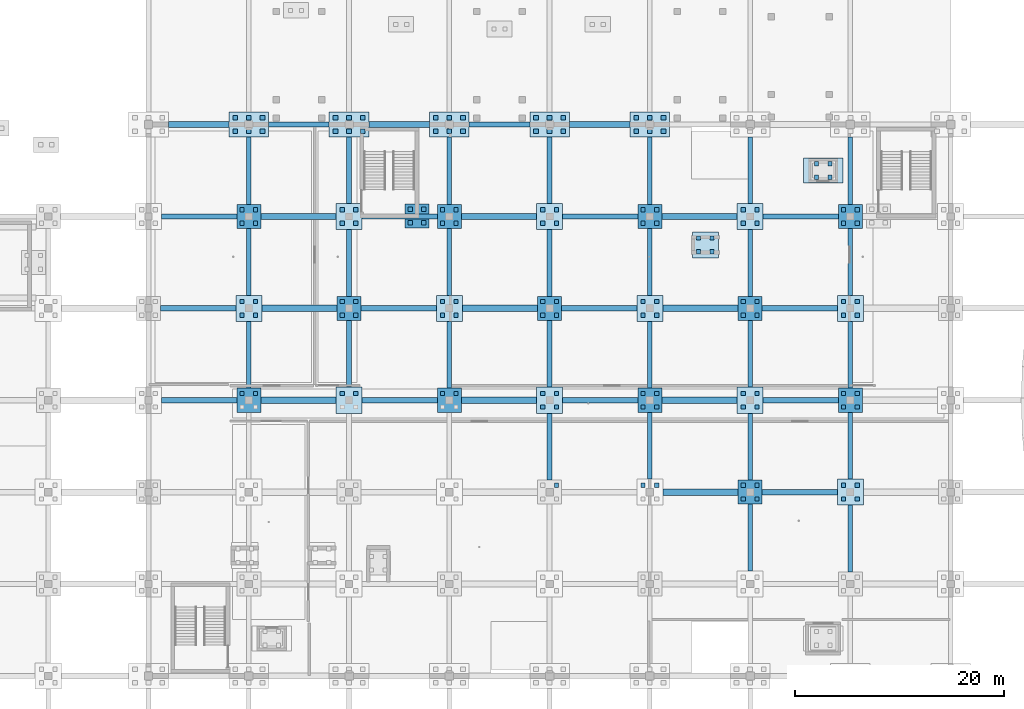
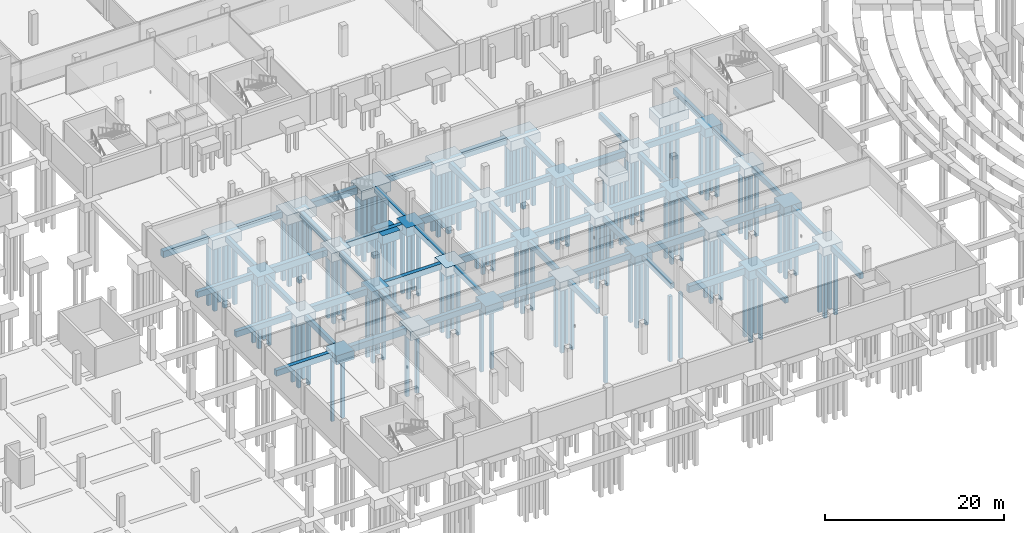
# One storey, part 4 of 31: 131 piles, 86 footings.
"""IFC4 building model written with IfcOpenShell, lengths in metres."""

from ifc_helpers import new_model, si_unit, direction, frame, origin, origin_2d, place, context, subcontext, project, spatial, rectangle, extrude, material, layer, layer_set, material_profile, profile_set, type_object, element, save


model = new_model("IFC4")

# Units and contexts
model_context = context("Model", 3, precision=1e-05, world=origin(), true_north=direction((0.0, 1.0)))
body_context = subcontext(model_context, "Body", "Model", "MODEL_VIEW")
ifc_project = project(units=[si_unit("LENGTHUNIT", "METRE"), si_unit("AREAUNIT", "SQUARE_METRE"), si_unit("VOLUMEUNIT", "CUBIC_METRE"), si_unit("PLANEANGLEUNIT", "RADIAN"), si_unit("MASSUNIT", "GRAM", prefix="KILO")], contexts=[model_context])

# Site, building, storey
site_placement = place(None, origin())
site = spatial("IfcSite", under=ifc_project, at=site_placement, CompositionType="ELEMENT")
building_placement = place(site_placement, origin())
building = spatial("IfcBuilding", under=site, at=building_placement, Name="Chalmorin Arch Market", CompositionType="ELEMENT")
storey_placement = place(building_placement, frame((0.0, 0.0, -4.199951171875)))
storey = spatial("IfcBuildingStorey", under=building, at=storey_placement, Name="B1", CompositionType="ELEMENT", Elevation=-4.199951171875)

# Piles
ifc_material_1 = material(Name="Precast concrete C50/60", Category="concrete")
ifc_material_profile_1 = material_profile(ifc_material_1, rectangle(XDim=0.406005859375, YDim=0.406005859375, at=origin_2d()), Name="PPC406")
ifc_profile_set_1 = profile_set([ifc_material_profile_1], Name="Precast concrete C50/60")
pile_type_1 = type_object("IfcPileType", Name="DrivenSquarePile-406", PredefinedType="DRIVEN", material=ifc_profile_set_1)
for number, where, z_axis, x_axis, name in (
    (1, (56.949951171875, 33.050048828125, -1.10009765625), (0.0, 0.0, -1.0), (1.0, 0.0, 0.0), "P-406-313"),
    (2, (58.25, 33.050048828125, -1.10009765625), (0.0, 0.0, -1.0), (1.0, 0.0, 0.0), "P-406-314"),
    (3, (56.949951171875, 40.550048828125, -1.10009765625), (0.0, 0.0, -1.0), (1.0, 0.0, 0.0), "P-406-315"),
    (4, (58.25, 40.550048828125, -1.10009765625), (0.0, 0.0, -1.0), (1.0, 0.0, 0.0), "P-406-316"),
    (5, (56.949951171875, 41.85009765625, -1.10009765625), (0.0, 0.0, -1.0), (1.0, 0.0, 0.0), "P-406-317"),
    (6, (58.25, 41.85009765625, -1.10009765625), (0.0, 0.0, -1.0), (1.0, 0.0, 0.0), "P-406-318"),
    (7, (56.949951171875, 49.35009765625, -1.10009765625), (0.0, 0.0, -1.0), (1.0, 0.0, 0.0), "P-406-319"),
    (8, (58.25, 49.35009765625, -1.10009765625), (0.0, 0.0, -1.0), (1.0, 0.0, 0.0), "P-406-320"),
    (9, (56.949951171875, 50.64990234375, -1.10009765625), (0.0, 0.0, -1.0), (1.0, 0.0, 0.0), "P-406-321"),
    (10, (58.25, 50.64990234375, -1.10009765625), (0.0, 0.0, -1.0), (1.0, 0.0, 0.0), "P-406-322"),
    (11, (66.550048828125, 33.050048828125, -1.10009765625), (0.0, 0.0, -1.0), (1.0, 0.0, 0.0), "P-406-369"),
    (12, (67.85009765625, 33.050048828125, -1.10009765625), (0.0, 0.0, -1.0), (1.0, 0.0, 0.0), "P-406-370"),
    (13, (66.550048828125, 40.550048828125, -1.10009765625), (0.0, 0.0, -1.0), (1.0, 0.0, 0.0), "P-406-371"),
    (14, (67.85009765625, 40.550048828125, -1.10009765625), (0.0, 0.0, -1.0), (1.0, 0.0, 0.0), "P-406-372"),
    (15, (66.550048828125, 41.85009765625, -1.10009765625), (0.0, 0.0, -1.0), (1.0, 0.0, 0.0), "P-406-373"),
    (16, (67.85009765625, 41.85009765625, -1.10009765625), (0.0, 0.0, -1.0), (1.0, 0.0, 0.0), "P-406-374"),
    (17, (66.550048828125, 49.35009765625, -1.10009765625), (0.0, 0.0, -1.0), (1.0, 0.0, 0.0), "P-406-375"),
    (18, (67.85009765625, 49.35009765625, -1.10009765625), (0.0, 0.0, -1.0), (1.0, 0.0, 0.0), "P-406-376"),
    (19, (66.550048828125, 50.64990234375, -1.10009765625), (0.0, 0.0, -1.0), (1.0, 0.0, 0.0), "P-406-377"),
    (20, (67.85009765625, 50.64990234375, -1.10009765625), (0.0, 0.0, -1.0), (1.0, 0.0, 0.0), "P-406-378"),
    (21, (76.14990234375, 33.050048828125, -1.10009765625), (0.0, 0.0, -1.0), (1.0, 0.0, 0.0), "P-406-425"),
    (22, (77.449951171875, 33.050048828125, -1.10009765625), (0.0, 0.0, -1.0), (1.0, 0.0, 0.0), "P-406-426"),
    (23, (76.14990234375, 40.550048828125, -1.10009765625), (0.0, 0.0, -1.0), (1.0, 0.0, 0.0), "P-406-427"),
    (24, (77.449951171875, 40.550048828125, -1.10009765625), (0.0, 0.0, -1.0), (1.0, 0.0, 0.0), "P-406-428"),
    (25, (76.14990234375, 41.85009765625, -1.10009765625), (0.0, 0.0, -1.0), (1.0, 0.0, 0.0), "P-406-429"),
    (26, (77.449951171875, 41.85009765625, -1.10009765625), (0.0, 0.0, -1.0), (1.0, 0.0, 0.0), "P-406-430"),
    (27, (76.14990234375, 49.35009765625, -1.10009765625), (0.0, 0.0, -1.0), (1.0, 0.0, 0.0), "P-406-431"),
    (28, (77.449951171875, 49.35009765625, -1.10009765625), (0.0, 0.0, -1.0), (1.0, 0.0, 0.0), "P-406-432"),
    (29, (76.14990234375, 50.64990234375, -1.10009765625), (0.0, 0.0, -1.0), (1.0, 0.0, 0.0), "P-406-433"),
    (30, (77.449951171875, 50.64990234375, -1.10009765625), (0.0, 0.0, -1.0), (1.0, 0.0, 0.0), "P-406-434"),
    (31, (87.050048828125, 24.25, -1.10009765625), (0.0, 0.0, -1.0), (1.0, 0.0, 0.0), "P-406-478"),
    (32, (85.75, 31.75, -1.10009765625), (0.0, 0.0, -1.0), (1.0, 0.0, 0.0), "P-406-479"),
    (33, (87.050048828125, 31.75, -1.10009765625), (0.0, 0.0, -1.0), (1.0, 0.0, 0.0), "P-406-480"),
    (34, (85.75, 33.050048828125, -1.10009765625), (0.0, 0.0, -1.0), (1.0, 0.0, 0.0), "P-406-481"),
    (35, (87.050048828125, 33.050048828125, -1.10009765625), (0.0, 0.0, -1.0), (1.0, 0.0, 0.0), "P-406-482"),
    (36, (85.75, 40.550048828125, -1.10009765625), (0.0, 0.0, -1.0), (1.0, 0.0, 0.0), "P-406-483"),
    (37, (87.050048828125, 40.550048828125, -1.10009765625), (0.0, 0.0, -1.0), (1.0, 0.0, 0.0), "P-406-484"),
    (38, (85.75, 41.85009765625, -1.10009765625), (0.0, 0.0, -1.0), (1.0, 0.0, 0.0), "P-406-485"),
    (39, (87.050048828125, 41.85009765625, -1.10009765625), (0.0, 0.0, -1.0), (1.0, 0.0, 0.0), "P-406-486"),
    (40, (85.75, 49.35009765625, -1.10009765625), (0.0, 0.0, -1.0), (1.0, 0.0, 0.0), "P-406-487"),
    (41, (87.050048828125, 49.35009765625, -1.10009765625), (0.0, 0.0, -1.0), (1.0, 0.0, 0.0), "P-406-488"),
    (42, (85.75, 50.64990234375, -1.10009765625), (0.0, 0.0, -1.0), (1.0, 0.0, 0.0), "P-406-489"),
    (43, (87.050048828125, 50.64990234375, -1.10009765625), (0.0, 0.0, -1.0), (1.0, 0.0, 0.0), "P-406-490"),
    (44, (95.35009765625, 24.25, -1.10009765625), (0.0, 0.0, -1.0), (1.0, 0.0, 0.0), "P-406-533"),
    (45, (96.64990234375, 24.25, -1.10009765625), (0.0, 0.0, -1.0), (1.0, 0.0, 0.0), "P-406-534"),
    (46, (95.35009765625, 31.75, -1.10009765625), (0.0, 0.0, -1.0), (1.0, 0.0, 0.0), "P-406-535"),
    (47, (96.64990234375, 31.75, -1.10009765625), (0.0, 0.0, -1.0), (1.0, 0.0, 0.0), "P-406-536"),
    (48, (95.35009765625, 33.050048828125, -1.10009765625), (0.0, 0.0, -1.0), (1.0, 0.0, 0.0), "P-406-537"),
    (49, (96.64990234375, 33.050048828125, -1.10009765625), (0.0, 0.0, -1.0), (1.0, 0.0, 0.0), "P-406-538"),
    (50, (95.35009765625, 40.550048828125, -1.10009765625), (0.0, 0.0, -1.0), (1.0, 0.0, 0.0), "P-406-539"),
    (51, (96.64990234375, 40.550048828125, -1.10009765625), (0.0, 0.0, -1.0), (1.0, 0.0, 0.0), "P-406-540"),
    (52, (95.35009765625, 41.85009765625, -1.10009765625), (0.0, 0.0, -1.0), (1.0, 0.0, 0.0), "P-406-541"),
    (53, (96.64990234375, 41.85009765625, -1.10009765625), (0.0, 0.0, -1.0), (1.0, 0.0, 0.0), "P-406-542"),
    (54, (95.35009765625, 49.35009765625, -1.10009765625), (0.0, 0.0, -1.0), (1.0, 0.0, 0.0), "P-406-543"),
    (55, (96.64990234375, 49.35009765625, -1.10009765625), (0.0, 0.0, -1.0), (1.0, 0.0, 0.0), "P-406-544"),
    (56, (95.35009765625, 50.64990234375, -1.10009765625), (0.0, 0.0, -1.0), (1.0, 0.0, 0.0), "P-406-545"),
    (57, (96.64990234375, 50.64990234375, -1.10009765625), (0.0, 0.0, -1.0), (1.0, 0.0, 0.0), "P-406-546"),
    (58, (104.949951171875, 22.949951171875, -1.10009765625), (0.0, 0.0, -1.0), (1.0, 0.0, 0.0), "P-406-587"),
    (59, (106.25, 22.949951171875, -1.10009765625), (0.0, 0.0, -1.0), (1.0, 0.0, 0.0), "P-406-588"),
    (60, (104.949951171875, 24.25, -1.10009765625), (0.0, 0.0, -1.0), (1.0, 0.0, 0.0), "P-406-589"),
    (61, (106.25, 24.25, -1.10009765625), (0.0, 0.0, -1.0), (1.0, 0.0, 0.0), "P-406-590"),
    (62, (104.949951171875, 31.75, -1.10009765625), (0.0, 0.0, -1.0), (1.0, 0.0, 0.0), "P-406-591"),
    (63, (106.25, 31.75, -1.10009765625), (0.0, 0.0, -1.0), (1.0, 0.0, 0.0), "P-406-592"),
    (64, (104.949951171875, 33.050048828125, -1.10009765625), (0.0, 0.0, -1.0), (1.0, 0.0, 0.0), "P-406-593"),
    (65, (106.25, 33.050048828125, -1.10009765625), (0.0, 0.0, -1.0), (1.0, 0.0, 0.0), "P-406-594"),
    (66, (104.949951171875, 40.550048828125, -1.10009765625), (0.0, 0.0, -1.0), (1.0, 0.0, 0.0), "P-406-595"),
    (67, (106.25, 40.550048828125, -1.10009765625), (0.0, 0.0, -1.0), (1.0, 0.0, 0.0), "P-406-596"),
    (68, (104.949951171875, 41.85009765625, -1.10009765625), (0.0, 0.0, -1.0), (1.0, 0.0, 0.0), "P-406-597"),
    (69, (106.25, 41.85009765625, -1.10009765625), (0.0, 0.0, -1.0), (1.0, 0.0, 0.0), "P-406-598"),
    (70, (104.949951171875, 49.35009765625, -1.10009765625), (0.0, 0.0, -1.0), (1.0, 0.0, 0.0), "P-406-599"),
    (71, (106.25, 49.35009765625, -1.10009765625), (0.0, 0.0, -1.0), (1.0, 0.0, 0.0), "P-406-600"),
    (72, (104.949951171875, 50.64990234375, -1.10009765625), (0.0, 0.0, -1.0), (1.0, 0.0, 0.0), "P-406-601"),
    (73, (106.25, 50.64990234375, -1.10009765625), (0.0, 0.0, -1.0), (1.0, 0.0, 0.0), "P-406-602"),
    (74, (114.550048828125, 22.949951171875, -1.10009765625), (0.0, 0.0, -1.0), (1.0, 0.0, 0.0), "P-406-643"),
    (75, (115.85009765625, 22.949951171875, -1.10009765625), (0.0, 0.0, -1.0), (1.0, 0.0, 0.0), "P-406-644"),
    (76, (114.550048828125, 24.25, -1.10009765625), (0.0, 0.0, -1.0), (1.0, 0.0, 0.0), "P-406-645"),
    (77, (115.85009765625, 24.25, -1.10009765625), (0.0, 0.0, -1.0), (1.0, 0.0, 0.0), "P-406-646"),
    (78, (114.550048828125, 31.75, -1.10009765625), (0.0, 0.0, -1.0), (1.0, 0.0, 0.0), "P-406-647"),
    (79, (115.85009765625, 31.75, -1.10009765625), (0.0, 0.0, -1.0), (1.0, 0.0, 0.0), "P-406-648"),
    (80, (114.550048828125, 33.050048828125, -1.10009765625), (0.0, 0.0, -1.0), (1.0, 0.0, 0.0), "P-406-649"),
    (81, (115.85009765625, 33.050048828125, -1.10009765625), (0.0, 0.0, -1.0), (1.0, 0.0, 0.0), "P-406-650"),
    (82, (114.550048828125, 40.550048828125, -1.10009765625), (0.0, 0.0, -1.0), (1.0, 0.0, 0.0), "P-406-651"),
    (83, (115.85009765625, 40.550048828125, -1.10009765625), (0.0, 0.0, -1.0), (1.0, 0.0, 0.0), "P-406-652"),
    (84, (114.550048828125, 41.85009765625, -1.10009765625), (0.0, 0.0, -1.0), (1.0, 0.0, 0.0), "P-406-653"),
    (85, (115.85009765625, 41.85009765625, -1.10009765625), (0.0, 0.0, -1.0), (1.0, 0.0, 0.0), "P-406-654"),
    (86, (114.550048828125, 49.35009765625, -1.10009765625), (0.0, 0.0, -1.0), (1.0, 0.0, 0.0), "P-406-655"),
    (87, (115.85009765625, 49.35009765625, -1.10009765625), (0.0, 0.0, -1.0), (1.0, 0.0, 0.0), "P-406-656"),
    (88, (114.550048828125, 50.64990234375, -1.10009765625), (0.0, 0.0, -1.0), (1.0, 0.0, 0.0), "P-406-657"),
    (89, (115.85009765625, 50.64990234375, -1.10009765625), (0.0, 0.0, -1.0), (1.0, 0.0, 0.0), "P-406-658"),
    (90, (73.050048828125, 49.39990234375, -1.10009765625), (0.0, 0.0, -1.0), (1.0, 0.0, 0.0), "P-406-953"),
    (91, (74.35009765625, 49.39990234375, -1.10009765625), (0.0, 0.0, -1.0), (1.0, 0.0, 0.0), "P-406-954"),
    (92, (73.050048828125, 50.699951171875, -1.10009765625), (0.0, 0.0, -1.0), (1.0, 0.0, 0.0), "P-406-955"),
    (93, (74.35009765625, 50.699951171875, -1.10009765625), (0.0, 0.0, -1.0), (1.0, 0.0, 0.0), "P-406-956"),
    (94, (100.659912109375, 46.625, -1.10009765625), (0.0, 0.0, -1.0), (1.0, 0.0, 0.0), "P-406-961"),
    (95, (101.9599609375, 46.625, -1.10009765625), (0.0, 0.0, -1.0), (1.0, 0.0, 0.0), "P-406-962"),
    (96, (100.659912109375, 47.925048828125, -1.10009765625), (0.0, 0.0, -1.0), (1.0, 0.0, 0.0), "P-406-963"),
    (97, (101.9599609375, 47.925048828125, -1.10009765625), (0.0, 0.0, -1.0), (1.0, 0.0, 0.0), "P-406-964"),
):
    element("IfcPile", number, at=place(storey_placement, frame(where, z_axis=z_axis, x_axis=x_axis)), inside=storey, type_object=pile_type_1, Name=name, PredefinedType="DRIVEN", context=body_context, shape_type="SweptSolid", body=[
        extrude(rectangle(XDim=0.406005859375, YDim=0.406005859375, at=origin_2d()), origin(), (0.0, 0.0, 1.0), 8.89990234375),
    ])
for number, where, z_axis, x_axis, name in (
    (98, (111.949951171875, 53.75, -1.199951171875), (0.0, 0.0, -1.0), (1.0, 0.0, 0.0), "P-406-985"),
    (99, (113.25, 53.75, -1.199951171875), (0.0, 0.0, -1.0), (1.0, 0.0, 0.0), "P-406-986"),
    (100, (111.949951171875, 55.050048828125, -1.199951171875), (0.0, 0.0, -1.0), (1.0, 0.0, 0.0), "P-406-987"),
    (101, (113.25, 55.050048828125, -1.199951171875), (0.0, 0.0, -1.0), (1.0, 0.0, 0.0), "P-406-988"),
):
    element("IfcPile", number, at=place(storey_placement, frame(where, z_axis=z_axis, x_axis=x_axis)), inside=storey, type_object=pile_type_1, Name=name, PredefinedType="DRIVEN", context=body_context, shape_type="SweptSolid", body=[
        extrude(rectangle(XDim=0.406005859375, YDim=0.406005859375, at=origin_2d()), origin(), (0.0, 0.0, 1.0), 8.800048828125),
    ])
ifc_material_profile_2 = material_profile(ifc_material_1, rectangle(XDim=0.45703125, YDim=0.45703125, at=origin_2d()), Name="PPC457")
ifc_profile_set_2 = profile_set([ifc_material_profile_2], Name="Precast concrete C50/60")
pile_type_2 = type_object("IfcPileType", Name="DrivenSquarePile-457", PredefinedType="DRIVEN", material=ifc_profile_set_2)
for number, where, z_axis, x_axis, name in (
    (102, (56.300048828125, 58.14990234375, -1.199951171875), (0.0, 0.0, -1.0), (1.0, 0.0, 0.0), "P-457-323"),
    (103, (57.60009765625, 58.14990234375, -1.199951171875), (0.0, 0.0, -1.0), (1.0, 0.0, 0.0), "P-457-324"),
    (104, (58.89990234375, 58.14990234375, -1.199951171875), (0.0, 0.0, -1.0), (1.0, 0.0, 0.0), "P-457-325"),
    (105, (56.300048828125, 59.449951171875, -1.199951171875), (0.0, 0.0, -1.0), (1.0, 0.0, 0.0), "P-457-326"),
    (106, (57.60009765625, 59.449951171875, -1.199951171875), (0.0, 0.0, -1.0), (1.0, 0.0, 0.0), "P-457-327"),
    (107, (58.89990234375, 59.449951171875, -1.199951171875), (0.0, 0.0, -1.0), (1.0, 0.0, 0.0), "P-457-328"),
    (108, (65.89990234375, 58.14990234375, -1.199951171875), (0.0, 0.0, -1.0), (1.0, 0.0, 0.0), "P-457-379"),
    (109, (67.199951171875, 58.14990234375, -1.199951171875), (0.0, 0.0, -1.0), (1.0, 0.0, 0.0), "P-457-380"),
    (110, (68.5, 58.14990234375, -1.199951171875), (0.0, 0.0, -1.0), (1.0, 0.0, 0.0), "P-457-381"),
    (111, (65.89990234375, 59.449951171875, -1.199951171875), (0.0, 0.0, -1.0), (1.0, 0.0, 0.0), "P-457-382"),
    (112, (67.199951171875, 59.449951171875, -1.199951171875), (0.0, 0.0, -1.0), (1.0, 0.0, 0.0), "P-457-383"),
    (113, (68.5, 59.449951171875, -1.199951171875), (0.0, 0.0, -1.0), (1.0, 0.0, 0.0), "P-457-384"),
    (114, (75.5, 58.14990234375, -1.199951171875), (0.0, 0.0, -1.0), (1.0, 0.0, 0.0), "P-457-435"),
    (115, (76.800048828125, 58.14990234375, -1.199951171875), (0.0, 0.0, -1.0), (1.0, 0.0, 0.0), "P-457-436"),
    (116, (78.10009765625, 58.14990234375, -1.199951171875), (0.0, 0.0, -1.0), (1.0, 0.0, 0.0), "P-457-437"),
    (117, (75.5, 59.449951171875, -1.199951171875), (0.0, 0.0, -1.0), (1.0, 0.0, 0.0), "P-457-438"),
    (118, (76.800048828125, 59.449951171875, -1.199951171875), (0.0, 0.0, -1.0), (1.0, 0.0, 0.0), "P-457-439"),
    (119, (78.10009765625, 59.449951171875, -1.199951171875), (0.0, 0.0, -1.0), (1.0, 0.0, 0.0), "P-457-440"),
    (120, (85.10009765625, 58.14990234375, -1.199951171875), (0.0, 0.0, -1.0), (1.0, 0.0, 0.0), "P-457-491"),
    (121, (86.39990234375, 58.14990234375, -1.199951171875), (0.0, 0.0, -1.0), (1.0, 0.0, 0.0), "P-457-492"),
    (122, (87.699951171875, 58.14990234375, -1.199951171875), (0.0, 0.0, -1.0), (1.0, 0.0, 0.0), "P-457-493"),
    (123, (85.10009765625, 59.449951171875, -1.199951171875), (0.0, 0.0, -1.0), (1.0, 0.0, 0.0), "P-457-494"),
    (124, (86.39990234375, 59.449951171875, -1.199951171875), (0.0, 0.0, -1.0), (1.0, 0.0, 0.0), "P-457-495"),
    (125, (87.699951171875, 59.449951171875, -1.199951171875), (0.0, 0.0, -1.0), (1.0, 0.0, 0.0), "P-457-496"),
    (126, (94.699951171875, 58.14990234375, -1.199951171875), (0.0, 0.0, -1.0), (1.0, 0.0, 0.0), "P-457-547"),
    (127, (96.0, 58.14990234375, -1.199951171875), (0.0, 0.0, -1.0), (1.0, 0.0, 0.0), "P-457-548"),
    (128, (97.300048828125, 58.14990234375, -1.199951171875), (0.0, 0.0, -1.0), (1.0, 0.0, 0.0), "P-457-549"),
    (129, (94.699951171875, 59.449951171875, -1.199951171875), (0.0, 0.0, -1.0), (1.0, 0.0, 0.0), "P-457-550"),
    (130, (96.0, 59.449951171875, -1.199951171875), (0.0, 0.0, -1.0), (1.0, 0.0, 0.0), "P-457-551"),
    (131, (97.300048828125, 59.449951171875, -1.199951171875), (0.0, 0.0, -1.0), (1.0, 0.0, 0.0), "P-457-552"),
):
    element("IfcPile", number, at=place(storey_placement, frame(where, z_axis=z_axis, x_axis=x_axis)), inside=storey, type_object=pile_type_2, Name=name, PredefinedType="DRIVEN", context=body_context, shape_type="SweptSolid", body=[
        extrude(rectangle(XDim=0.45703125, YDim=0.45703125, at=origin_2d()), origin(), (0.0, 0.0, 1.0), 8.800048828125),
    ])

# Footings
ifc_material_2 = material(Name="Concrete C40/50", Category="concrete")
ifc_layer_1 = layer(ifc_material_2, 0.75)
ifc_layer_set_1 = layer_set([ifc_layer_1], Name="Concrete C40/50")
footing_type_1 = type_object("IfcFootingType", Name="FoundationTieBeam-450x750-L6350", PredefinedType="FOOTING_BEAM", material=ifc_layer_set_1)
for number, where, z_axis, x_axis, name in (
    (132, (67.199951171875, 54.425048828125, -0.75), (0.0, 0.0, 1.0), (0.0, 1.0, 0.0), "FTB-03-265"),
    (133, (86.39990234375, 54.425048828125, -0.75), (0.0, 0.0, 1.0), (0.0, 1.0, 0.0), "FTB-03-291"),
    (134, (105.60009765625, 54.425048828125, -0.75), (0.0, 0.0, 1.0), (0.0, 1.0, 0.0), "FTB-03-317"),
):
    element("IfcFooting", number, at=place(storey_placement, frame(where, z_axis=z_axis, x_axis=x_axis)), inside=storey, type_object=footing_type_1, Name=name, PredefinedType="FOOTING_BEAM", context=body_context, shape_type="SweptSolid", body=[
        extrude(rectangle(XDim=6.35009765625, YDim=0.449951171875, at=origin_2d()), origin(), (0.0, 0.0, 1.0), 0.75),
    ])
ifc_layer_2 = layer(ifc_material_2, 0.75)
ifc_layer_set_2 = layer_set([ifc_layer_2], Name="Concrete C40/50")
footing_type_2 = type_object("IfcFootingType", Name="FoundationTieBeam-450x750-L6400", PredefinedType="FOOTING_BEAM", material=ifc_layer_set_2)
for number, where, z_axis, x_axis, name in (
    (135, (57.60009765625, 36.75, -0.75), (0.0, 0.0, 1.0), (0.0, 1.0, 0.0), "FTB-03-250"),
    (136, (57.60009765625, 45.64990234375, -0.75), (0.0, 0.0, 1.0), (0.0, 1.0, 0.0), "FTB-03-251"),
    (137, (67.199951171875, 36.85009765625, -0.75), (0.0, 0.0, 1.0), (0.0, 1.0, 0.0), "FTB-03-263"),
    (138, (67.199951171875, 45.550048828125, -0.75), (0.0, 0.0, 1.0), (0.0, 1.0, 0.0), "FTB-03-264"),
    (139, (76.800048828125, 36.75, -0.75), (0.0, 0.0, 1.0), (0.0, 1.0, 0.0), "FTB-03-276"),
    (140, (76.800048828125, 45.64990234375, -0.75), (0.0, 0.0, 1.0), (0.0, 1.0, 0.0), "FTB-03-277"),
    (141, (86.39990234375, 27.949951171875, -0.75), (0.0, 0.0, 1.0), (0.0, 1.0, 0.0), "FTB-03-288"),
    (142, (86.39990234375, 36.85009765625, -0.75), (0.0, 0.0, 1.0), (0.0, 1.0, 0.0), "FTB-03-289"),
    (143, (86.39990234375, 45.550048828125, -0.75), (0.0, 0.0, 1.0), (0.0, 1.0, 0.0), "FTB-03-290"),
    (144, (96.0, 28.050048828125, -0.75), (0.0, 0.0, 1.0), (0.0, 1.0, 0.0), "FTB-03-301"),
    (145, (96.0, 36.75, -0.75), (0.0, 0.0, 1.0), (0.0, 1.0, 0.0), "FTB-03-302"),
    (146, (96.0, 45.64990234375, -0.75), (0.0, 0.0, 1.0), (0.0, 1.0, 0.0), "FTB-03-303"),
    (147, (105.60009765625, 19.25, -0.75), (0.0, 0.0, 1.0), (0.0, 1.0, 0.0), "FTB-03-313"),
    (148, (105.60009765625, 27.949951171875, -0.75), (0.0, 0.0, 1.0), (0.0, 1.0, 0.0), "FTB-03-314"),
    (149, (105.60009765625, 36.85009765625, -0.75), (0.0, 0.0, 1.0), (0.0, 1.0, 0.0), "FTB-03-315"),
    (150, (105.60009765625, 45.550048828125, -0.75), (0.0, 0.0, 1.0), (0.0, 1.0, 0.0), "FTB-03-316"),
    (151, (115.199951171875, 19.14990234375, -0.75), (0.0, 0.0, 1.0), (0.0, 1.0, 0.0), "FTB-03-326"),
    (152, (115.199951171875, 28.050048828125, -0.75), (0.0, 0.0, 1.0), (0.0, 1.0, 0.0), "FTB-03-327"),
    (153, (115.199951171875, 36.75, -0.75), (0.0, 0.0, 1.0), (0.0, 1.0, 0.0), "FTB-03-328"),
    (154, (115.199951171875, 45.64990234375, -0.75), (0.0, 0.0, 1.0), (0.0, 1.0, 0.0), "FTB-03-329"),
):
    element("IfcFooting", number, at=place(storey_placement, frame(where, z_axis=z_axis, x_axis=x_axis)), inside=storey, type_object=footing_type_2, Name=name, PredefinedType="FOOTING_BEAM", context=body_context, shape_type="SweptSolid", body=[
        extrude(rectangle(XDim=6.39990234375, YDim=0.449951171875, at=origin_2d()), origin(), (0.0, 0.0, 1.0), 0.75),
    ])
ifc_layer_3 = layer(ifc_material_2, 0.75)
ifc_layer_set_3 = layer_set([ifc_layer_3], Name="Concrete C40/50")
footing_type_3 = type_object("IfcFootingType", Name="FoundationTieBeam-450x750-L6450", PredefinedType="FOOTING_BEAM", material=ifc_layer_set_3)
for number, where, z_axis, x_axis, name in (
    (155, (57.60009765625, 54.375, -0.75), (0.0, 0.0, 1.0), (0.0, 1.0, 0.0), "FTB-03-252"),
    (156, (76.800048828125, 54.375, -0.75), (0.0, 0.0, 1.0), (0.0, 1.0, 0.0), "FTB-03-278"),
    (157, (96.0, 54.375, -0.75), (0.0, 0.0, 1.0), (0.0, 1.0, 0.0), "FTB-03-304"),
    (158, (115.199951171875, 54.375, -0.75), (0.0, 0.0, 1.0), (0.0, 1.0, 0.0), "FTB-03-330"),
):
    element("IfcFooting", number, at=place(storey_placement, frame(where, z_axis=z_axis, x_axis=x_axis)), inside=storey, type_object=footing_type_3, Name=name, PredefinedType="FOOTING_BEAM", context=body_context, shape_type="SweptSolid", body=[
        extrude(rectangle(XDim=6.449951171875, YDim=0.449951171875, at=origin_2d()), origin(), (0.0, 0.0, 1.0), 0.75),
    ])
ifc_layer_4 = layer(ifc_material_2, 0.800048828125)
ifc_layer_set_4 = layer_set([ifc_layer_4], Name="Concrete C40/50")
footing_type_4 = type_object("IfcFootingType", Name="FoundationTieBeam-500x800-L5800", PredefinedType="FOOTING_BEAM", material=ifc_layer_set_4)
for number, where, z_axis, x_axis, name in (
    (159, (62.39990234375, 58.800048828125, -0.80029296875), (0.0, 0.0, 1.0), (1.0, 0.0, 0.0), "FTB-02-099"),
    (160, (81.60009765625, 58.800048828125, -0.80029296875), (0.0, 0.0, 1.0), (1.0, 0.0, 0.0), "FTB-02-101"),
):
    element("IfcFooting", number, at=place(storey_placement, frame(where, z_axis=z_axis, x_axis=x_axis)), inside=storey, type_object=footing_type_4, Name=name, PredefinedType="FOOTING_BEAM", context=body_context, shape_type="SweptSolid", body=[
        extrude(rectangle(XDim=5.800048828125, YDim=0.5, at=origin_2d()), origin(), (0.0, 0.0, 1.0), 0.800048828125),
    ])
ifc_layer_5 = layer(ifc_material_2, 0.800048828125)
ifc_layer_set_5 = layer_set([ifc_layer_5], Name="Concrete C40/50")
footing_type_5 = type_object("IfcFootingType", Name="FoundationTieBeam-500x800-L7200", PredefinedType="FOOTING_BEAM", material=ifc_layer_set_5)
for number, where, z_axis, x_axis, name in (
    (161, (110.35009765625, 23.60009765625, -0.80029296875), (0.0, 0.0, 1.0), (1.0, 0.0, 0.0), "FTB-02-053"),
    (162, (52.85009765625, 32.39990234375, -0.80029296875), (0.0, 0.0, 1.0), (1.0, 0.0, 0.0), "FTB-02-061"),
    (163, (72.050048828125, 32.39990234375, -0.80029296875), (0.0, 0.0, 1.0), (1.0, 0.0, 0.0), "FTB-02-063"),
    (164, (91.25, 32.39990234375, -0.80029296875), (0.0, 0.0, 1.0), (1.0, 0.0, 0.0), "FTB-02-065"),
    (165, (110.449951171875, 32.39990234375, -0.80029296875), (0.0, 0.0, 1.0), (1.0, 0.0, 0.0), "FTB-02-067"),
    (166, (52.75, 41.199951171875, -0.80029296875), (0.0, 0.0, 1.0), (1.0, 0.0, 0.0), "FTB-02-075"),
    (167, (71.949951171875, 41.199951171875, -0.80029296875), (0.0, 0.0, 1.0), (1.0, 0.0, 0.0), "FTB-02-077"),
    (168, (91.14990234375, 41.199951171875, -0.80029296875), (0.0, 0.0, 1.0), (1.0, 0.0, 0.0), "FTB-02-079"),
    (169, (110.35009765625, 41.199951171875, -0.80029296875), (0.0, 0.0, 1.0), (1.0, 0.0, 0.0), "FTB-02-081"),
    (170, (52.85009765625, 50.0, -0.80029296875), (0.0, 0.0, 1.0), (1.0, 0.0, 0.0), "FTB-02-089"),
    (171, (72.050048828125, 50.0, -0.80029296875), (0.0, 0.0, 1.0), (1.0, 0.0, 0.0), "FTB-02-091"),
    (172, (91.25, 50.0, -0.80029296875), (0.0, 0.0, 1.0), (1.0, 0.0, 0.0), "FTB-02-093"),
    (173, (110.449951171875, 50.0, -0.80029296875), (0.0, 0.0, 1.0), (1.0, 0.0, 0.0), "FTB-02-095"),
):
    element("IfcFooting", number, at=place(storey_placement, frame(where, z_axis=z_axis, x_axis=x_axis)), inside=storey, type_object=footing_type_5, Name=name, PredefinedType="FOOTING_BEAM", context=body_context, shape_type="SweptSolid", body=[
        extrude(rectangle(XDim=7.199951171875, YDim=0.5, at=origin_2d()), origin(), (0.0, 0.0, 1.0), 0.800048828125),
    ])
ifc_layer_6 = layer(ifc_material_2, 0.89990234375)
ifc_layer_set_6 = layer_set([ifc_layer_6], Name="Concrete C40/50")
footing_type_6 = type_object("IfcFootingType", Name="FoundationTieBeam-600x900-L5800", PredefinedType="FOOTING_BEAM", material=ifc_layer_set_6)
for number, where, z_axis, x_axis, name in (
    (174, (52.800048828125, 58.800048828125, -0.89990234375), (0.0, 0.0, 1.0), (1.0, 0.0, 0.0), "FTB-01-098"),
    (175, (72.0, 58.800048828125, -0.89990234375), (0.0, 0.0, 1.0), (1.0, 0.0, 0.0), "FTB-01-100"),
    (176, (91.199951171875, 58.800048828125, -0.89990234375), (0.0, 0.0, 1.0), (1.0, 0.0, 0.0), "FTB-01-102"),
):
    element("IfcFooting", number, at=place(storey_placement, frame(where, z_axis=z_axis, x_axis=x_axis)), inside=storey, type_object=footing_type_6, Name=name, PredefinedType="FOOTING_BEAM", context=body_context, shape_type="SweptSolid", body=[
        extrude(rectangle(XDim=5.800048828125, YDim=0.60009765625, at=origin_2d()), origin(), (0.0, 0.0, 1.0), 0.89990234375),
    ])
ifc_layer_7 = layer(ifc_material_2, 0.89990234375)
ifc_layer_set_7 = layer_set([ifc_layer_7], Name="Concrete C40/50")
footing_type_7 = type_object("IfcFootingType", Name="FoundationTieBeam-600x900-L7200", PredefinedType="FOOTING_BEAM", material=ifc_layer_set_7)
for number, where, z_axis, x_axis, name in (
    (177, (100.85009765625, 23.60009765625, -0.89990234375), (0.0, 0.0, 1.0), (1.0, 0.0, 0.0), "FTB-01-052"),
    (178, (62.35009765625, 32.39990234375, -0.89990234375), (0.0, 0.0, 1.0), (1.0, 0.0, 0.0), "FTB-01-062"),
    (179, (81.550048828125, 32.39990234375, -0.89990234375), (0.0, 0.0, 1.0), (1.0, 0.0, 0.0), "FTB-01-064"),
    (180, (100.75, 32.39990234375, -0.89990234375), (0.0, 0.0, 1.0), (1.0, 0.0, 0.0), "FTB-01-066"),
    (181, (62.449951171875, 41.199951171875, -0.89990234375), (0.0, 0.0, 1.0), (1.0, 0.0, 0.0), "FTB-01-076"),
    (182, (81.64990234375, 41.199951171875, -0.89990234375), (0.0, 0.0, 1.0), (1.0, 0.0, 0.0), "FTB-01-078"),
    (183, (100.85009765625, 41.199951171875, -0.89990234375), (0.0, 0.0, 1.0), (1.0, 0.0, 0.0), "FTB-01-080"),
    (184, (62.35009765625, 50.0, -0.89990234375), (0.0, 0.0, 1.0), (1.0, 0.0, 0.0), "FTB-01-090"),
    (185, (81.550048828125, 50.0, -0.89990234375), (0.0, 0.0, 1.0), (1.0, 0.0, 0.0), "FTB-01-092"),
    (186, (100.75, 50.0, -0.89990234375), (0.0, 0.0, 1.0), (1.0, 0.0, 0.0), "FTB-01-094"),
):
    element("IfcFooting", number, at=place(storey_placement, frame(where, z_axis=z_axis, x_axis=x_axis)), inside=storey, type_object=footing_type_7, Name=name, PredefinedType="FOOTING_BEAM", context=body_context, shape_type="SweptSolid", body=[
        extrude(rectangle(XDim=7.199951171875, YDim=0.60009765625, at=origin_2d()), origin(), (0.0, 0.0, 1.0), 0.89990234375),
    ])
ifc_layer_8 = layer(ifc_material_2, 1.199951171875)
ifc_layer_set_8 = layer_set([ifc_layer_8], Name="Concrete C40/50")
footing_type_8 = type_object("IfcFootingType", Name="MultiPileCap-2300x2300x1200", PredefinedType="PILE_CAP", material=ifc_layer_set_8)
for number, where, z_axis, x_axis, name in (
    (187, (57.60009765625, 32.39990234375, -1.2001953125), (0.0, 0.0, 1.0), (1.0, 0.0, 0.0), "PC-02-084"),
    (188, (57.60009765625, 50.0, -1.2001953125), (0.0, 0.0, 1.0), (1.0, 0.0, 0.0), "PC-02-086"),
    (189, (67.199951171875, 41.199951171875, -1.2001953125), (0.0, 0.0, 1.0), (1.0, 0.0, 0.0), "PC-02-099"),
    (190, (76.800048828125, 32.39990234375, -1.2001953125), (0.0, 0.0, 1.0), (1.0, 0.0, 0.0), "PC-02-112"),
    (191, (76.800048828125, 50.0, -1.2001953125), (0.0, 0.0, 1.0), (1.0, 0.0, 0.0), "PC-02-114"),
    (192, (86.39990234375, 41.199951171875, -1.2001953125), (0.0, 0.0, 1.0), (1.0, 0.0, 0.0), "PC-02-127"),
    (193, (96.0, 32.39990234375, -1.2001953125), (0.0, 0.0, 1.0), (1.0, 0.0, 0.0), "PC-02-140"),
    (194, (96.0, 50.0, -1.2001953125), (0.0, 0.0, 1.0), (1.0, 0.0, 0.0), "PC-02-142"),
    (195, (105.60009765625, 23.60009765625, -1.2001953125), (0.0, 0.0, 1.0), (1.0, 0.0, 0.0), "PC-02-153"),
    (196, (105.60009765625, 41.199951171875, -1.2001953125), (0.0, 0.0, 1.0), (1.0, 0.0, 0.0), "PC-02-155"),
    (197, (115.199951171875, 32.39990234375, -1.2001953125), (0.0, 0.0, 1.0), (1.0, 0.0, 0.0), "PC-02-168"),
    (198, (115.199951171875, 50.0, -1.2001953125), (0.0, 0.0, 1.0), (1.0, 0.0, 0.0), "PC-02-170"),
    (199, (73.699951171875, 50.050048828125, -1.2001953125), (0.0, 0.0, 1.0), (1.0, 0.0, 0.0), "PC-02-278"),
):
    element("IfcFooting", number, at=place(storey_placement, frame(where, z_axis=z_axis, x_axis=x_axis)), inside=storey, type_object=footing_type_8, Name=name, PredefinedType="PILE_CAP", context=body_context, shape_type="SweptSolid", body=[
        extrude(rectangle(XDim=2.300048828125, YDim=2.300048828125, at=origin_2d()), origin(), (0.0, 0.0, 1.0), 1.199951171875),
    ])
ifc_layer_9 = layer(ifc_material_2, 1.199951171875)
ifc_layer_set_9 = layer_set([ifc_layer_9], Name="Concrete C40/50")
footing_type_9 = type_object("IfcFootingType", Name="MultiPileCap-2500x2500x1200", PredefinedType="PILE_CAP", material=ifc_layer_set_9)
for number, where, z_axis, x_axis, name in (
    (200, (57.60009765625, 41.199951171875, -1.2001953125), (0.0, 0.0, 1.0), (1.0, 0.0, 0.0), "PC-01-085"),
    (201, (67.199951171875, 32.39990234375, -1.2001953125), (0.0, 0.0, 1.0), (1.0, 0.0, 0.0), "PC-01-098"),
    (202, (67.199951171875, 50.0, -1.2001953125), (0.0, 0.0, 1.0), (1.0, 0.0, 0.0), "PC-01-100"),
    (203, (76.800048828125, 41.199951171875, -1.2001953125), (0.0, 0.0, 1.0), (1.0, 0.0, 0.0), "PC-01-113"),
    (204, (86.39990234375, 32.39990234375, -1.2001953125), (0.0, 0.0, 1.0), (1.0, 0.0, 0.0), "PC-01-126"),
    (205, (86.39990234375, 50.0, -1.2001953125), (0.0, 0.0, 1.0), (1.0, 0.0, 0.0), "PC-01-128"),
    (206, (96.0, 41.199951171875, -1.2001953125), (0.0, 0.0, 1.0), (1.0, 0.0, 0.0), "PC-01-141"),
    (207, (105.60009765625, 32.39990234375, -1.2001953125), (0.0, 0.0, 1.0), (1.0, 0.0, 0.0), "PC-01-154"),
    (208, (105.60009765625, 50.0, -1.2001953125), (0.0, 0.0, 1.0), (1.0, 0.0, 0.0), "PC-01-156"),
    (209, (115.199951171875, 23.60009765625, -1.2001953125), (0.0, 0.0, 1.0), (1.0, 0.0, 0.0), "PC-01-167"),
    (210, (115.199951171875, 41.199951171875, -1.2001953125), (0.0, 0.0, 1.0), (1.0, 0.0, 0.0), "PC-01-169"),
    (211, (101.31005859375, 47.27490234375, -1.2001953125), (0.0, 0.0, 1.0), (1.0, 0.0, 0.0), "PC-01-280"),
):
    element("IfcFooting", number, at=place(storey_placement, frame(where, z_axis=z_axis, x_axis=x_axis)), inside=storey, type_object=footing_type_9, Name=name, PredefinedType="PILE_CAP", context=body_context, shape_type="SweptSolid", body=[
        extrude(rectangle(XDim=2.5, YDim=2.5, at=origin_2d()), origin(), (0.0, 0.0, 1.0), 1.199951171875),
    ])
ifc_layer_10 = layer(ifc_material_2, 1.300048828125)
ifc_layer_set_10 = layer_set([ifc_layer_10], Name="Concrete C40/50")
footing_type_10 = type_object("IfcFootingType", Name="MultiPileCap-3800x2400x1300", PredefinedType="PILE_CAP", material=ifc_layer_set_10)
for number, where, z_axis, x_axis, name in (
    (212, (57.60009765625, 58.800048828125, -1.30029296875), (0.0, 0.0, 1.0), (1.0, 0.0, 0.0), "PC-06-087"),
    (213, (67.199951171875, 58.800048828125, -1.30029296875), (0.0, 0.0, 1.0), (1.0, 0.0, 0.0), "PC-06-101"),
    (214, (76.800048828125, 58.800048828125, -1.30029296875), (0.0, 0.0, 1.0), (1.0, 0.0, 0.0), "PC-06-115"),
    (215, (86.39990234375, 58.800048828125, -1.30029296875), (0.0, 0.0, 1.0), (1.0, 0.0, 0.0), "PC-06-129"),
    (216, (96.0, 58.800048828125, -1.30029296875), (0.0, 0.0, 1.0), (1.0, 0.0, 0.0), "PC-06-143"),
    (217, (112.60009765625, 54.39990234375, -1.30029296875), (0.0, 0.0, 1.0), (1.0, 0.0, 0.0), "PC-06-286"),
):
    element("IfcFooting", number, at=place(storey_placement, frame(where, z_axis=z_axis, x_axis=x_axis)), inside=storey, type_object=footing_type_10, Name=name, PredefinedType="PILE_CAP", context=body_context, shape_type="SweptSolid", body=[
        extrude(rectangle(XDim=3.800048828125, YDim=2.39990234375, at=origin_2d()), origin(), (0.0, 0.0, 1.0), 1.300048828125),
    ])

save(model, "model.ifc")
